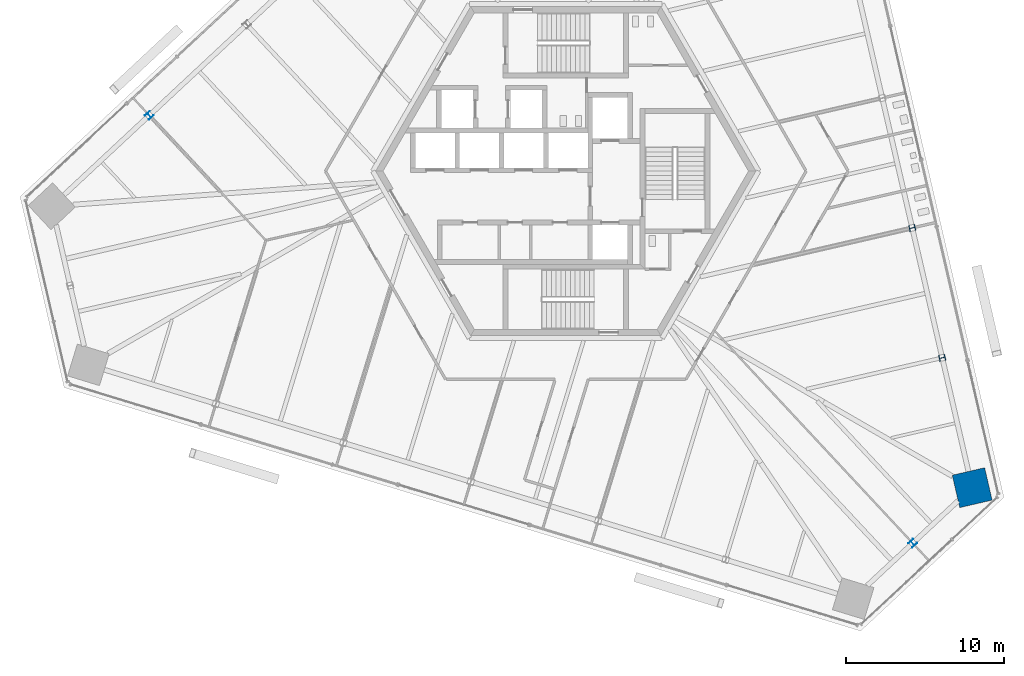
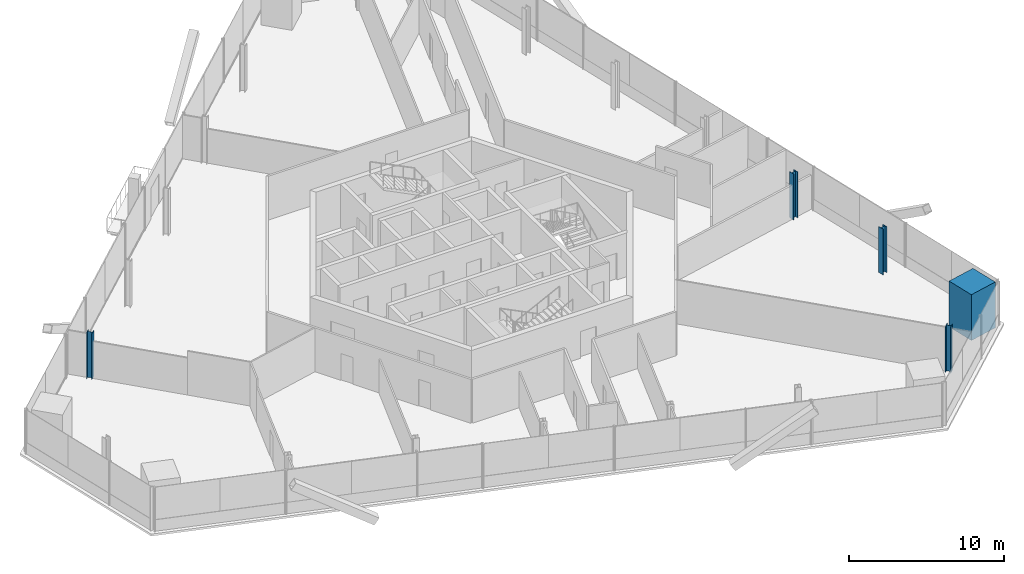
# One storey, part 2 of 17: 5 columns.
"""IFC4 building model written with IfcOpenShell, lengths in metres."""

from ifc_helpers import new_model, si_unit, direction, frame, origin, origin_2d, place, context, subcontext, project, spatial, rectangle, i_section, extrude, source, transform, mapped, material, material_profile, profile_set, type_object, element, save


model = new_model("IFC4")

# Units and contexts
model_context = context("Model", 3, precision=1e-05, world=origin(), true_north=direction((0.0, 1.0)))
body_context = subcontext(model_context, "Body", "Model", "MODEL_VIEW")
ifc_project = project(units=[si_unit("LENGTHUNIT", "METRE"), si_unit("AREAUNIT", "SQUARE_METRE"), si_unit("VOLUMEUNIT", "CUBIC_METRE"), si_unit("PLANEANGLEUNIT", "RADIAN"), si_unit("MASSUNIT", "GRAM", prefix="KILO")], contexts=[model_context])

# Site, building, storey
site_placement = place(None, origin())
site = spatial("IfcSite", under=ifc_project, at=site_placement, CompositionType="ELEMENT")
building_placement = place(site_placement, origin())
building = spatial("IfcBuilding", under=site, at=building_placement, Name="Triune Harvest Tower", CompositionType="ELEMENT")
storey_placement = place(building_placement, frame((0.0, 0.0, 123.5)))
storey = spatial("IfcBuildingStorey", under=building, at=storey_placement, Name="L31", CompositionType="ELEMENT", Elevation=123.5)

# Columns
ifc_material_1 = material(Name="Concrete 70 MPa", Category="concrete")
ifc_material_profile_1 = material_profile(ifc_material_1, rectangle(XDim=2.10009765625, YDim=2.10009765625, at=origin_2d()), Name="Composite 2100x2100")
ifc_profile_set_1 = profile_set([ifc_material_profile_1], Name="Concrete 70 MPa")
column_type_1 = type_object("IfcColumnType", Name="MC-3 Mega column Composite 2100x2100", PredefinedType="COLUMN", material=ifc_profile_set_1)
shared_shape_1 = source(origin(), body_context, "Body", "SweptSolid", [
    extrude(rectangle(XDim=2.10009765625, YDim=2.10009765625, at=origin_2d()), origin(), (0.0, 0.0, 1.0), 3.60009765625),
])
column_placement = place(storey_placement, frame((25.65869140625, -19.983642578125, 0.0), z_axis=(0.0, 0.0, 1.0), x_axis=(-0.22495275494, 0.97436967217, 0.0)))
element("IfcColumn", 1, at=column_placement, inside=storey, type_object=column_type_1, Name="col/L31/M0", PredefinedType="COLUMN", context=body_context, shape_type="MappedRepresentation", body=[
    mapped(shared_shape_1, transform((0.0, 0.0, 0.0), scale=1.0)),
])
ifc_material_2 = material(Name="Steel ASTM A992 Gr 50", Category="steel")
ifc_material_profile_2 = material_profile(ifc_material_2, i_section(OverallWidth=0.396240234375, OverallDepth=0.381103515625, WebThickness=0.01904296875, FlangeThickness=0.0302734375, at=origin_2d()), Name="W14x159")
ifc_profile_set_2 = profile_set([ifc_material_profile_2], Name="Steel ASTM A992 Gr 50")
column_type_2 = type_object("IfcColumnType", Name="PC-3 Perimeter column W14x159", PredefinedType="COLUMN", material=ifc_profile_set_2)
shared_shape_2 = source(origin(), body_context, "Body", "SweptSolid", [
    extrude(i_section(OverallWidth=0.396240234375, OverallDepth=0.381103515625, WebThickness=0.01904296875, FlangeThickness=0.0302734375, at=origin_2d()), origin(), (0.0, 0.0, 1.0), 3.60009765625),
])
for number, where, z_axis, x_axis, name in (
    (2, (23.765869140625, -11.784912109375, 0.0), (0.0, 0.0, 1.0), (-0.22495275494, 0.97436967217, 0.0), "col/L31/P1"),
    (3, (21.872802734375, -3.5859375, 0.0), (0.0, 0.0, 1.0), (-0.22495275494, 0.97436967217, 0.0), "col/L31/P2"),
    (4, (-26.29248046875, 3.51953125, 0.0), (0.0, 0.0, 1.0), (-0.73135489193, -0.681997083608, 0.0), "col/L31/P13"),
    (5, (21.90185546875, -23.48681640625, 0.0), (0.0, 0.0, 1.0), (0.731353701619, 0.681998360062, 0.0), "col/L31/P23"),
):
    element("IfcColumn", number, at=place(storey_placement, frame(where, z_axis=z_axis, x_axis=x_axis)), inside=storey, type_object=column_type_2, Name=name, PredefinedType="COLUMN", context=body_context, shape_type="MappedRepresentation", body=[
        mapped(shared_shape_2, transform((0.0, 0.0, 0.0), scale=1.0)),
    ])

save(model, "model.ifc")
